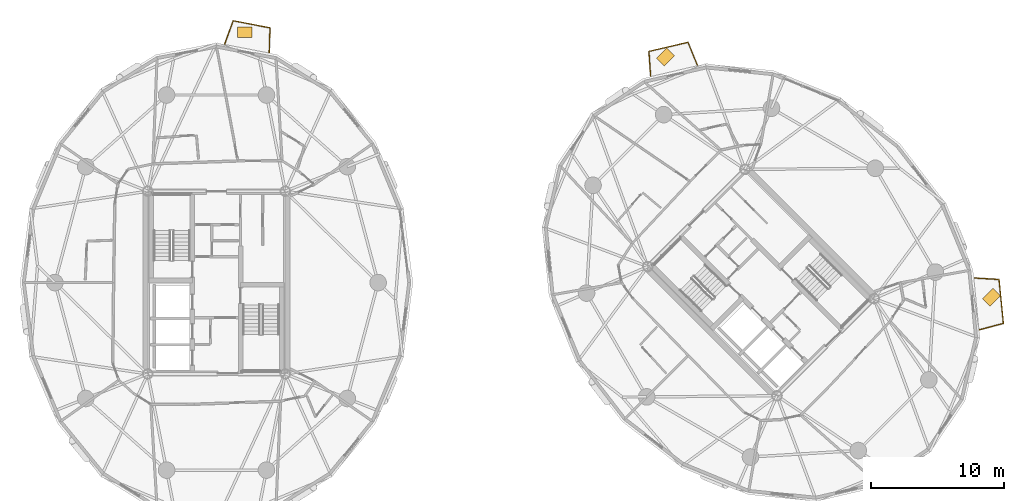
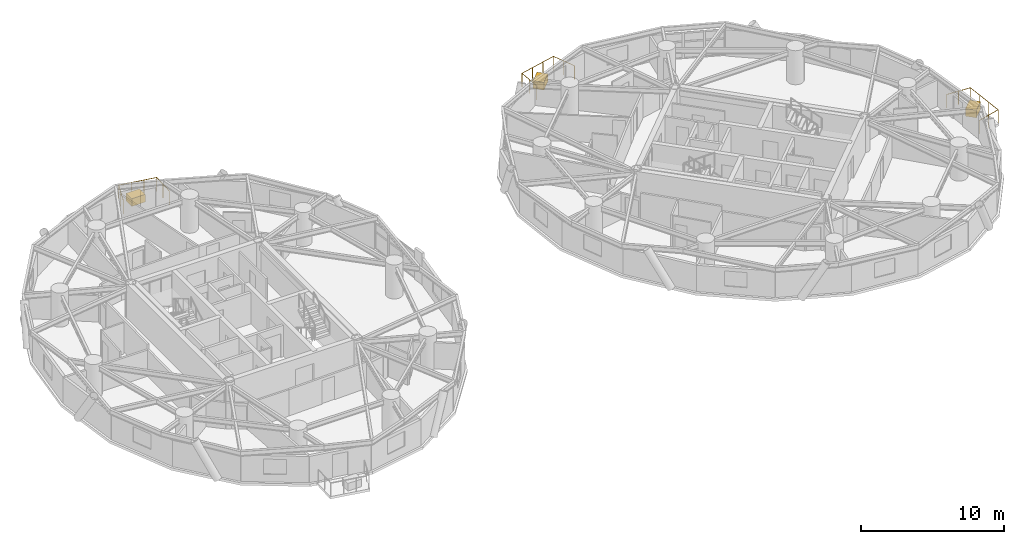
# One storey, part 17 of 17: 3 coverings, 3 railings.
"""IFC4 building model written with IfcOpenShell, lengths in metres."""

from ifc_helpers import new_model, si_unit, direction, frame, origin, origin_2d, place, context, subcontext, project, spatial, rectangle, circle, extrude, source, transform, mapped, material, layer, layer_set, type_object, element, save


model = new_model("IFC4")

# Units and contexts
model_context = context("Model", 3, precision=1e-05, world=origin(), true_north=direction((0.0, 1.0)))
body_context = subcontext(model_context, "Body", "Model", "MODEL_VIEW")
ifc_project = project(units=[si_unit("LENGTHUNIT", "METRE"), si_unit("AREAUNIT", "SQUARE_METRE"), si_unit("VOLUMEUNIT", "CUBIC_METRE"), si_unit("PLANEANGLEUNIT", "RADIAN"), si_unit("MASSUNIT", "GRAM", prefix="KILO")], contexts=[model_context])

# Site, building, storey
site_placement = place(None, origin())
site = spatial("IfcSite", under=ifc_project, at=site_placement, CompositionType="ELEMENT")
building_placement = place(site_placement, origin())
building = spatial("IfcBuilding", under=site, at=building_placement, Name="Cununo Teusaquillo Station Towers", CompositionType="ELEMENT")
storey_placement = place(building_placement, frame((0.0, 0.0, 154.510009765625)))
storey = spatial("IfcBuildingStorey", under=building, at=storey_placement, Name="L48", CompositionType="ELEMENT", Elevation=154.510009765625)

# Railings
ifc_material_1 = material(Name="Anodised dark bronze aluminium EN AW-6063-T6", Category="aluminium")
railing_type_1 = type_object("IfcRailingType", Name="RL-EXT-BALUS", PredefinedType="BALUSTRADE", material=ifc_material_1)
railing_1_placement = place(storey_placement, frame((17.117431640625, 42.474609375, 0.0)))
element("IfcRailing", 1, at=railing_1_placement, inside=storey, type_object=railing_type_1, Name="L48 Tower A Balcony Guardrail C04", PredefinedType="BALUSTRADE", context=body_context, shape_type="SweptSolid", body=[
    extrude(circle(Radius=0.02392578125, at=origin_2d()), frame((0.0, 0.0, 1.17578125), z_axis=(0.344127190422, 0.938923040942, 0.0), x_axis=(-0.938923040942, 0.344127190422, 0.0)), (0.0, 0.0, 1.0), 1.857421875),
    extrude(circle(Radius=0.02392578125, at=origin_2d()), frame((0.63916015625, 1.743896484375, 1.17578125), z_axis=(0.981837596309, -0.18972331031, 0.0), x_axis=(0.18972331031, 0.981837596309, 0.0)), (0.0, 0.0, 1.0), 2.822021484375),
    extrude(circle(Radius=0.02392578125, at=origin_2d()), frame((3.409912109375, 1.20849609375, 1.17578125), z_axis=(-0.030492060761, -0.999535009007, 0.0), x_axis=(0.999535009007, -0.030492060761, 0.0)), (0.0, 0.0, 1.0), 1.857666015625),
    extrude(circle(Radius=0.02099609375, at=origin_2d()), origin(), (0.0, 0.0, 1.0), 1.15185546875),
    extrude(circle(Radius=0.02099609375, at=origin_2d()), frame((0.319580078125, 0.8720703125, 0.0)), (0.0, 0.0, 1.0), 1.15185546875),
    extrude(circle(Radius=0.02099609375, at=origin_2d()), frame((0.63916015625, 1.743896484375, 0.0)), (0.0, 0.0, 1.0), 1.15185546875),
    extrude(circle(Radius=0.02099609375, at=origin_2d()), frame((1.562744140625, 1.5654296875, 0.0)), (0.0, 0.0, 1.0), 1.15185546875),
    extrude(circle(Radius=0.02099609375, at=origin_2d()), frame((2.486328125, 1.386962890625, 0.0)), (0.0, 0.0, 1.0), 1.15185546875),
    extrude(circle(Radius=0.02099609375, at=origin_2d()), frame((3.409912109375, 1.20849609375, 0.0)), (0.0, 0.0, 1.0), 1.15185546875),
    extrude(circle(Radius=0.02099609375, at=origin_2d()), frame((3.381591796875, 0.2802734375, 0.0)), (0.0, 0.0, 1.0), 1.15185546875),
    extrude(circle(Radius=0.02099609375, at=origin_2d()), frame((3.353271484375, -0.648193359375, 0.0)), (0.0, 0.0, 1.0), 1.15185546875),
])
railing_2_placement = place(storey_placement, frame((49.18994140625, 40.052978515625, 0.0)))
element("IfcRailing", 2, at=railing_2_placement, inside=storey, type_object=railing_type_1, Name="L48 Tower B Balcony Guardrail C03", PredefinedType="BALUSTRADE", context=body_context, shape_type="SweptSolid", body=[
    extrude(circle(Radius=0.02392578125, at=origin_2d()), frame((0.0, 0.0, 1.17578125), z_axis=(-0.068878636169, 0.997625046538, 0.0), x_axis=(-0.997625046538, -0.068878636169, 0.0)), (0.0, 0.0, 1.0), 1.86083984375),
    extrude(circle(Radius=0.02392578125, at=origin_2d()), frame((-0.128173828125, 1.8564453125, 1.17578125), z_axis=(0.973828087145, 0.227285847971, 0.0), x_axis=(-0.227285847971, 0.973828087145, 0.0)), (0.0, 0.0, 1.0), 3.01953125),
    extrude(circle(Radius=0.02392578125, at=origin_2d()), frame((2.812255859375, 2.542724609375, 1.17578125), z_axis=(0.379766515213, -0.925082371426, 0.0), x_axis=(0.925082371426, 0.379766515213, 0.0)), (0.0, 0.0, 1.0), 1.861083984375),
    extrude(circle(Radius=0.02099609375, at=origin_2d()), origin(), (0.0, 0.0, 1.0), 1.15185546875),
    extrude(circle(Radius=0.02099609375, at=origin_2d()), frame((-0.06396484375, 0.92822265625, 0.0)), (0.0, 0.0, 1.0), 1.15185546875),
    extrude(circle(Radius=0.02099609375, at=origin_2d()), frame((-0.128173828125, 1.8564453125, 0.0)), (0.0, 0.0, 1.0), 1.15185546875),
    extrude(circle(Radius=0.02099609375, at=origin_2d()), frame((0.85205078125, 2.085205078125, 0.0)), (0.0, 0.0, 1.0), 1.15185546875),
    extrude(circle(Radius=0.02099609375, at=origin_2d()), frame((1.83203125, 2.31396484375, 0.0)), (0.0, 0.0, 1.0), 1.15185546875),
    extrude(circle(Radius=0.02099609375, at=origin_2d()), frame((2.812255859375, 2.542724609375, 0.0)), (0.0, 0.0, 1.0), 1.15185546875),
    extrude(circle(Radius=0.02099609375, at=origin_2d()), frame((3.16552734375, 1.681884765625, 0.0)), (0.0, 0.0, 1.0), 1.15185546875),
    extrude(circle(Radius=0.02099609375, at=origin_2d()), frame((3.51904296875, 0.821044921875, 0.0)), (0.0, 0.0, 1.0), 1.15185546875),
])
ifc_material_2 = material(Name="Anodised dark bronze aluminium EN AW-6063-T6", Category="aluminium")
railing_type_2 = type_object("IfcRailingType", Name="RL-EXT-GUARD", PredefinedType="GUARDRAIL", material=ifc_material_2)
railing_3_placement = place(storey_placement, frame((73.56591796875, 24.84619140625, 0.0)))
element("IfcRailing", 3, at=railing_3_placement, inside=storey, type_object=railing_type_2, Name="L48 Tower B Balcony Guardrail C17", PredefinedType="GUARDRAIL", context=body_context, shape_type="SweptSolid", body=[
    extrude(circle(Radius=0.02392578125, at=origin_2d()), frame((0.0, 0.0, 1.1259765625), z_axis=(0.998116185791, -0.061352095824, 0.0), x_axis=(0.061352095824, 0.998116185791, 0.0)), (0.0, 0.0, 1.0), 1.8662109375),
    extrude(circle(Radius=0.02392578125, at=origin_2d()), frame((1.86279296875, -0.114501953125, 1.1259765625), z_axis=(0.098587208981, -0.995128414942, 0.0), x_axis=(0.995128414942, 0.098587208981, 0.0)), (0.0, 0.0, 1.0), 3.3232421875),
    extrude(circle(Radius=0.02392578125, at=origin_2d()), frame((2.1904296875, -3.421630859375, 1.1259765625), z_axis=(-0.96667000051, -0.256025604412, 0.0), x_axis=(0.256025604412, -0.96667000051, 0.0)), (0.0, 0.0, 1.0), 1.8662109375),
    extrude(circle(Radius=0.02099609375, at=origin_2d()), origin(), (0.0, 0.0, 1.0), 1.101806640625),
    extrude(circle(Radius=0.02099609375, at=origin_2d()), frame((0.931396484375, -0.05712890625, 0.0)), (0.0, 0.0, 1.0), 1.101806640625),
    extrude(circle(Radius=0.02099609375, at=origin_2d()), frame((1.86279296875, -0.114501953125, 0.0)), (0.0, 0.0, 1.0), 1.101806640625),
    extrude(circle(Radius=0.02099609375, at=origin_2d()), frame((1.971923828125, -1.216796875, 0.0)), (0.0, 0.0, 1.0), 1.101806640625),
    extrude(circle(Radius=0.02099609375, at=origin_2d()), frame((2.081298828125, -2.3193359375, 0.0)), (0.0, 0.0, 1.0), 1.101806640625),
    extrude(circle(Radius=0.02099609375, at=origin_2d()), frame((2.1904296875, -3.421630859375, 0.0)), (0.0, 0.0, 1.0), 1.101806640625),
    extrude(circle(Radius=0.02099609375, at=origin_2d()), frame((1.28857421875, -3.66064453125, 0.0)), (0.0, 0.0, 1.0), 1.101806640625),
    extrude(circle(Radius=0.02099609375, at=origin_2d()), frame((0.386474609375, -3.8994140625, 0.0)), (0.0, 0.0, 1.0), 1.101806640625),
])

# Coverings
ifc_material_3 = material(Name="Architectural GRC planter shell and engineered root-zone substrate", Category="concrete")
ifc_layer = layer(ifc_material_3, 0.64990234375)
ifc_layer_set = layer_set([ifc_layer], Name="Architectural GRC planter shell and engineered root-zone substrate")
covering_type = type_object("IfcCoveringType", Name="COV-TREE-PLANTER", PredefinedType="CLADDING", material=ifc_layer_set)
shared_shape = source(origin(), body_context, "Body", "SweptSolid", [
    extrude(rectangle(XDim=1.10009765625, YDim=0.800048828125, at=origin_2d()), origin(), (0.0, 0.0, 1.0), 0.64990234375),
])
for number, where, z_axis, x_axis, name in (
    (4, (18.633056640625, 43.346435546875, 0.0), (0.0, 0.0, 1.0), (1.0, 0.0, 0.0), "L48 Tower A Balcony Tree PLANTER C04"),
    (5, (50.314208984375, 41.4912109375, 0.0), (0.0, 0.0, 1.0), (0.707106781187, 0.707106781187, 0.0), "L48 Tower B Balcony Tree PLANTER C03"),
    (6, (74.86328125, 23.392578125, 0.0), (0.0, 0.0, 1.0), (0.707106781187, 0.707106781187, 0.0), "L48 Tower B Balcony Tree PLANTER C17"),
):
    element("IfcCovering", number, at=place(storey_placement, frame(where, z_axis=z_axis, x_axis=x_axis)), inside=storey, type_object=covering_type, Name=name, PredefinedType="CLADDING", context=body_context, shape_type="MappedRepresentation", body=[
        mapped(shared_shape, transform((0.0, 0.0, 0.0), x_axis=(1.0, 0.0, 0.0), y_axis=(0.0, 1.0, 0.0), z_axis=(0.0, 0.0, 1.0), scale=1.0)),
    ])

save(model, "model.ifc")
